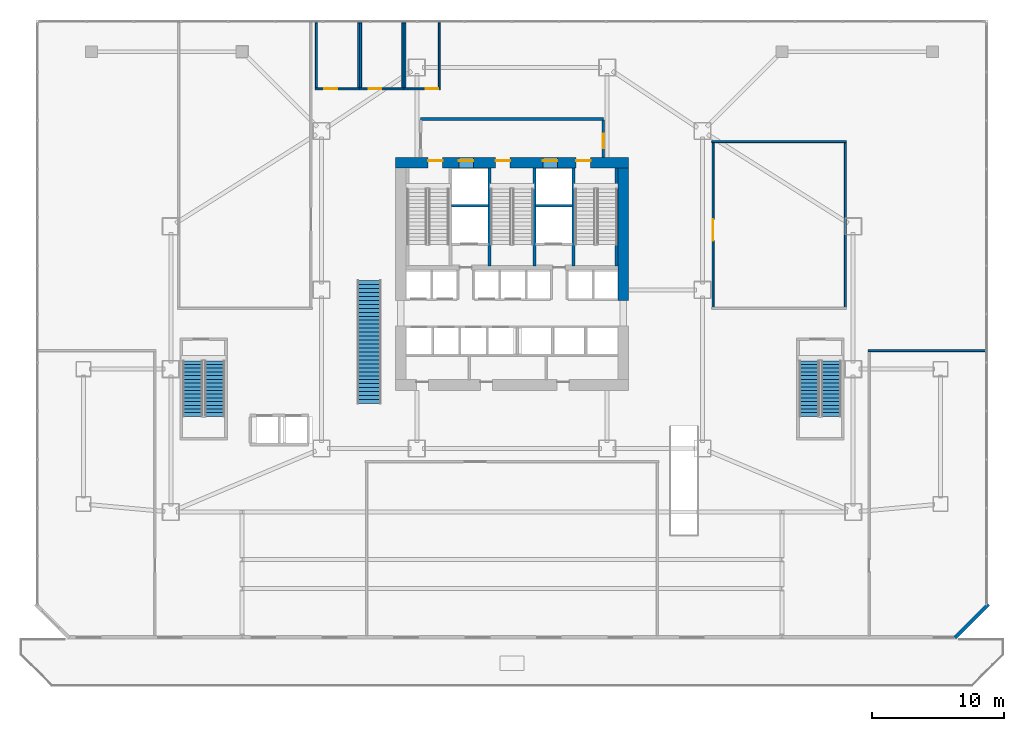
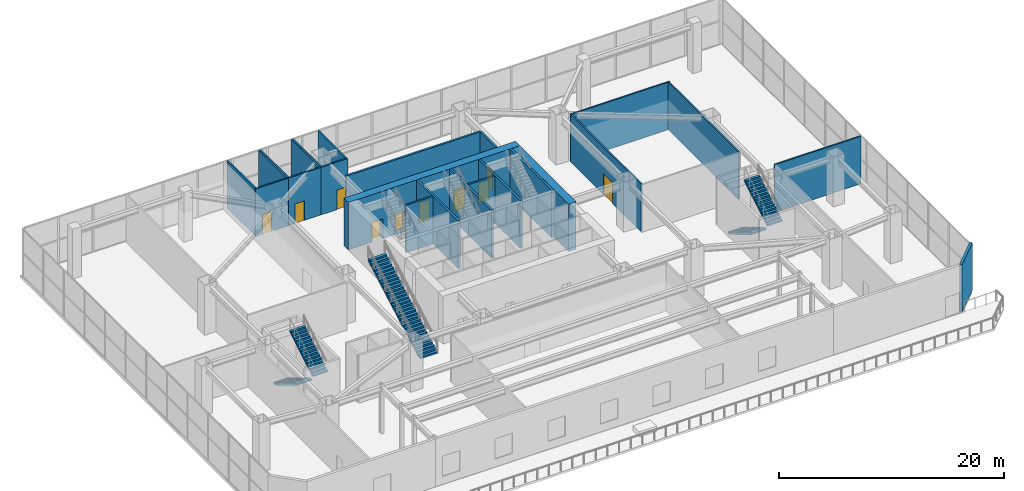
# One storey, part 30 of 37: 24 walls, 10 doors, 5 stair flights, 10 openings, 3 elements without a shape of their own.
"""IFC4 building model written with IfcOpenShell, lengths in metres."""

from ifc_helpers import new_model, si_unit, direction, frame, frame_2d, origin, place, context, subcontext, project, spatial, polyline, rectangle, outline, extrude, material, layer, layer_set, type_object, element, fill, aggregate, save


model = new_model("IFC4")

# Units and contexts
model_context = context("Model", 3, precision=1e-05, world=origin(), true_north=direction((0.0, 1.0)))
body_context = subcontext(model_context, "Body", "Model", "MODEL_VIEW")
ifc_project = project(units=[si_unit("LENGTHUNIT", "METRE"), si_unit("AREAUNIT", "SQUARE_METRE"), si_unit("VOLUMEUNIT", "CUBIC_METRE"), si_unit("PLANEANGLEUNIT", "RADIAN"), si_unit("MASSUNIT", "GRAM", prefix="KILO")], contexts=[model_context])

# Site, building, storey
site_placement = place(None, origin())
site = spatial("IfcSite", under=ifc_project, at=site_placement, CompositionType="ELEMENT")
building_placement = place(site_placement, origin())
building = spatial("IfcBuilding", under=site, at=building_placement, Name="Haolan Belvedere Tower", CompositionType="ELEMENT")
storey_placement = place(building_placement, frame((0.0, 0.0, 10.199951171875)))
storey = spatial("IfcBuildingStorey", under=building, at=storey_placement, Name="L02", CompositionType="ELEMENT", Elevation=10.199951171875)

# Wall, openings, doors
ifc_material_1 = material(Name="Concrete C70/85", Category="concrete")
ifc_layer_1 = layer(ifc_material_1, 0.800048828125, Name="Concrete C70/85")
ifc_layer_set_1 = layer_set([ifc_layer_1], Name="Concrete C70/85")
wall_type_1 = type_object("IfcWallType", Name="WL-CORE-800", PredefinedType="SHEAR", material=ifc_layer_set_1)
wall_1_placement = place(storey_placement, frame((29.60009765625, 43.199951171875, 0.0), z_axis=(0.0, 0.0, 1.0), x_axis=(1.0, 0.0, 0.0)))
wall_1 = element("IfcWall", 1, at=wall_1_placement, inside=storey, type_object=wall_type_1, Name="L02 central core north shear wall", PredefinedType="SHEAR", context=body_context, shape_type="SweptSolid", body=[
    extrude(rectangle(XDim=17.599853515625, YDim=0.800048828125, at=frame_2d((8.7998046875, 0.0))), origin(), (0.0, 0.0, 1.0), 5.16015625),
])
opening_1_placement = place(wall_1_placement, frame((2.449951171875, 0.0, 0.0)))
opening_1 = element("IfcOpeningElement", 2, at=opening_1_placement, cuts=wall_1, Name="Opening FD-03", PredefinedType="OPENING", context=body_context, shape_type="SweptSolid", body=[
    extrude(rectangle(XDim=1.10009765625, YDim=2.14990234375, at=frame_2d((0.550048828125, 1.074951171875))), frame((0.0, 0.409912109375, 0.0), z_axis=(0.0, -1.0, 0.0), x_axis=(1.0, 0.0, 0.0)), (0.0, 0.0, 1.0), 0.820068359375),
])
opening_2_placement = place(wall_1_placement, frame((7.56005859375, 0.0, 0.0)))
opening_2 = element("IfcOpeningElement", 3, at=opening_2_placement, cuts=wall_1, Name="Opening FD-03", PredefinedType="OPENING", context=body_context, shape_type="SweptSolid", body=[
    extrude(rectangle(XDim=1.10009765625, YDim=2.14990234375, at=frame_2d((0.550048828125, 1.074951171875))), frame((0.0, 0.409912109375, 0.0), z_axis=(0.0, -1.0, 0.0), x_axis=(1.0, 0.0, 0.0)), (0.0, 0.0, 1.0), 0.820068359375),
])
opening_3_placement = place(wall_1_placement, frame((13.64990234375, 0.0, 0.0)))
opening_3 = element("IfcOpeningElement", 4, at=opening_3_placement, cuts=wall_1, Name="Opening FD-03", PredefinedType="OPENING", context=body_context, shape_type="SweptSolid", body=[
    extrude(rectangle(XDim=1.10009765625, YDim=2.14990234375, at=frame_2d((0.550048828125, 1.074951171875))), frame((0.0, 0.409912109375, 0.0), z_axis=(0.0, -1.0, 0.0), x_axis=(1.0, 0.0, 0.0)), (0.0, 0.0, 1.0), 0.820068359375),
])
opening_4_placement = place(wall_1_placement, frame((4.780029296875, 0.0, 0.0)))
opening_4 = element("IfcOpeningElement", 5, at=opening_4_placement, cuts=wall_1, Name="Opening LD-01", PredefinedType="OPENING", context=body_context, shape_type="SweptSolid", body=[
    extrude(rectangle(XDim=1.10009765625, YDim=2.199951171875, at=frame_2d((0.550048828125, 1.10009765625))), frame((0.0, 0.409912109375, 0.0), z_axis=(0.0, -1.0, 0.0), x_axis=(1.0, 0.0, 0.0)), (0.0, 0.0, 1.0), 0.820068359375),
])
opening_5_placement = place(wall_1_placement, frame((11.139892578125, 0.0, 0.0)))
opening_5 = element("IfcOpeningElement", 6, at=opening_5_placement, cuts=wall_1, Name="Opening LD-01", PredefinedType="OPENING", context=body_context, shape_type="SweptSolid", body=[
    extrude(rectangle(XDim=1.10009765625, YDim=2.199951171875, at=frame_2d((0.550048828125, 1.10009765625))), frame((0.0, 0.409912109375, 0.0), z_axis=(0.0, -1.0, 0.0), x_axis=(1.0, 0.0, 0.0)), (0.0, 0.0, 1.0), 0.820068359375),
])
ifc_material_2 = material(Name="Galvanised fire-rated steel", Category="steel")
door_type_1 = type_object("IfcDoorType", Name="DR-FD90-1100", OperationType="NOTDEFINED", PredefinedType="DOOR", material=ifc_material_2)
door_1_placement = place(opening_1_placement, origin())
door_1 = element("IfcDoor", 7, at=door_1_placement, inside=storey, type_object=door_type_1, Name="L02 door CD-L02-ST1", OperationType="SINGLE_SWING_LEFT", OverallHeight=2.14990234375, OverallWidth=1.10009765625, PredefinedType="DOOR", context=body_context, shape_type="SweptSolid", body=[
    extrude(rectangle(XDim=1.10009765625, YDim=2.14990234375, at=frame_2d((0.550048828125, 1.074951171875))), frame((0.0, 0.18505859375, 0.0), z_axis=(0.0, -1.0, 0.0), x_axis=(1.0, 0.0, 0.0)), (0.0, 0.0, 1.0), 0.050048828125),
])
fill(opening_1, door_1)
door_2_placement = place(opening_2_placement, origin())
door_2 = element("IfcDoor", 8, at=door_2_placement, inside=storey, type_object=door_type_1, Name="L02 door CD-L02-ST3", OperationType="SINGLE_SWING_LEFT", OverallHeight=2.14990234375, OverallWidth=1.10009765625, PredefinedType="DOOR", context=body_context, shape_type="SweptSolid", body=[
    extrude(rectangle(XDim=1.10009765625, YDim=2.14990234375, at=frame_2d((0.550048828125, 1.074951171875))), frame((0.0, 0.18505859375, 0.0), z_axis=(0.0, -1.0, 0.0), x_axis=(1.0, 0.0, 0.0)), (0.0, 0.0, 1.0), 0.050048828125),
])
fill(opening_2, door_2)
door_3_placement = place(opening_3_placement, origin())
door_3 = element("IfcDoor", 9, at=door_3_placement, inside=storey, type_object=door_type_1, Name="L02 door CD-L02-ST2", OperationType="SINGLE_SWING_RIGHT", OverallHeight=2.14990234375, OverallWidth=1.10009765625, PredefinedType="DOOR", context=body_context, shape_type="SweptSolid", body=[
    extrude(rectangle(XDim=1.10009765625, YDim=2.14990234375, at=frame_2d((0.550048828125, 1.074951171875))), frame((0.0, 0.18505859375, 0.0), z_axis=(0.0, -1.0, 0.0), x_axis=(1.0, 0.0, 0.0)), (0.0, 0.0, 1.0), 0.050048828125),
])
fill(opening_3, door_3)
ifc_material_3 = material(Name="Brushed champagne stainless steel 316L", Category="steel")
door_type_2 = type_object("IfcDoorType", Name="DR-LIFT-1100", OperationType="SLIDING_TO_LEFT", PredefinedType="DOOR", material=ifc_material_3)
door_4_placement = place(opening_4_placement, origin())
door_4 = element("IfcDoor", 10, at=door_4_placement, inside=storey, type_object=door_type_2, Name="L02 door LD-L02-FF1", OperationType="SLIDING_TO_LEFT", OverallHeight=2.199951171875, OverallWidth=1.10009765625, PredefinedType="DOOR", context=body_context, shape_type="SweptSolid", body=[
    extrude(rectangle(XDim=1.10009765625, YDim=2.199951171875, at=frame_2d((0.550048828125, 1.10009765625))), frame((0.0, 0.18505859375, 0.0), z_axis=(0.0, -1.0, 0.0), x_axis=(1.0, 0.0, 0.0)), (0.0, 0.0, 1.0), 0.050048828125),
])
fill(opening_4, door_4)
door_5_placement = place(opening_5_placement, origin())
door_5 = element("IfcDoor", 11, at=door_5_placement, inside=storey, type_object=door_type_2, Name="L02 door LD-L02-FF2", OperationType="SLIDING_TO_LEFT", OverallHeight=2.199951171875, OverallWidth=1.10009765625, PredefinedType="DOOR", context=body_context, shape_type="SweptSolid", body=[
    extrude(rectangle(XDim=1.10009765625, YDim=2.199951171875, at=frame_2d((0.550048828125, 1.10009765625))), frame((0.0, 0.18505859375, 0.0), z_axis=(0.0, -1.0, 0.0), x_axis=(1.0, 0.0, 0.0)), (0.0, 0.0, 1.0), 0.050048828125),
])
fill(opening_5, door_5)

# Walls
wall_2_placement = place(storey_placement, frame((46.800048828125, 32.800048828125, 0.0), z_axis=(0.0, 0.0, 1.0), x_axis=(0.0, 1.0, 0.0)))
element("IfcWall", 12, at=wall_2_placement, inside=storey, type_object=wall_type_1, Name="L02 central core shear wall EN", PredefinedType="SHEAR", context=body_context, shape_type="SweptSolid", body=[
    extrude(rectangle(XDim=10.0, YDim=0.800048828125, at=frame_2d((5.0, 0.0))), origin(), (0.0, 0.0, 1.0), 5.16015625),
])
ifc_material_4 = material(Name="Precast concrete C40/50", Category="concrete")
ifc_layer_2 = layer(ifc_material_4, 0.260009765625, Name="Precast concrete C40/50")
ifc_layer_set_2 = layer_set([ifc_layer_2], Name="Precast concrete C40/50")
wall_type_2 = type_object("IfcWallType", Name="WL-EXT-260", PredefinedType="SOLIDWALL", material=ifc_layer_set_2)
wall_3_placement = place(storey_placement, frame((71.9072265625, 7.291015625, 0.0), z_axis=(0.0, 0.0, 1.0), x_axis=(0.707106781187, 0.707106781187, 0.0)))
element("IfcWall", 13, at=wall_3_placement, inside=storey, type_object=wall_type_2, Name="L02 pale-metal exterior spandrel wall 1.1", PredefinedType="SOLIDWALL", context=body_context, shape_type="SweptSolid", body=[
    extrude(rectangle(XDim=3.566650390625, YDim=0.260009765625, at=frame_2d((1.783203125, 0.0))), origin(), (0.0, 0.0, 1.0), 5.16015625),
])
ifc_material_5 = material(Name="Concrete C40/50", Category="concrete")
ifc_layer_3 = layer(ifc_material_5, 0.199951171875, Name="Concrete C40/50")
ifc_layer_set_3 = layer_set([ifc_layer_3], Name="Concrete C40/50")
wall_type_3 = type_object("IfcWallType", Name="WL-FIRE-200", PredefinedType="SOLIDWALL", material=ifc_layer_set_3)
wall_4_placement = place(storey_placement, frame((31.5, 46.52001953125, 0.0), z_axis=(0.0, 0.0, 1.0), x_axis=(1.0, 0.0, 0.0)))
element("IfcWall", 14, at=wall_4_placement, inside=storey, type_object=wall_type_3, Name="L02 interior partition IW-L02-FFL-N", PredefinedType="SOLIDWALL", context=body_context, shape_type="SweptSolid", body=[
    extrude(rectangle(XDim=13.800048828125, YDim=0.199951171875, at=frame_2d((6.89990234375, 0.0))), origin(), (0.0, 0.0, 1.0), 5.16015625),
])

# Wall, opening, door
wall_5_placement = place(storey_placement, frame((45.300048828125, 43.60009765625, 0.0), z_axis=(0.0, 0.0, 1.0), x_axis=(0.0, 1.0, 0.0)))
wall_5 = element("IfcWall", 15, at=wall_5_placement, inside=storey, type_object=wall_type_3, Name="L02 interior partition IW-L02-FFL-E", PredefinedType="SOLIDWALL", context=body_context, shape_type="SweptSolid", body=[
    extrude(rectangle(XDim=2.8349609375, YDim=0.199951171875, at=frame_2d((1.41748046875, 0.0))), origin(), (0.0, 0.0, 1.0), 5.16015625),
])
opening_6_placement = place(wall_5_placement, frame((0.699951171875, 0.0, 0.0)))
opening_6 = element("IfcOpeningElement", 16, at=opening_6_placement, cuts=wall_5, Name="Opening FD-03", PredefinedType="OPENING", context=body_context, shape_type="SweptSolid", body=[
    extrude(rectangle(XDim=1.10009765625, YDim=2.14990234375, at=frame_2d((0.550048828125, 1.074951171875))), frame((0.0, 0.10986328125, 0.0), z_axis=(0.0, -1.0, 0.0), x_axis=(1.0, 0.0, 0.0)), (0.0, 0.0, 1.0), 0.219970703125),
])
door_6_placement = place(opening_6_placement, origin())
door_6 = element("IfcDoor", 17, at=door_6_placement, inside=storey, type_object=door_type_1, Name="L02 door ID-L02-FFL-DE", OperationType="SINGLE_SWING_RIGHT", OverallHeight=2.14990234375, OverallWidth=1.10009765625, PredefinedType="DOOR", context=body_context, shape_type="SweptSolid", body=[
    extrude(rectangle(XDim=1.10009765625, YDim=2.14990234375, at=frame_2d((0.550048828125, 1.074951171875))), frame((0.0, 0.02490234375, 0.0), z_axis=(0.0, -1.0, 0.0), x_axis=(1.0, 0.0, 0.0)), (0.0, 0.0, 1.0), 0.050048828125),
])
fill(opening_6, door_6)

ifc_material_6 = material(Name="Double gypsum acoustic stud partition", Category="masonry")
ifc_layer_4 = layer(ifc_material_6, 0.14990234375, Name="Double gypsum acoustic stud partition")
ifc_layer_set_4 = layer_set([ifc_layer_4], Name="Double gypsum acoustic stud partition")
wall_type_4 = type_object("IfcWallType", Name="WL-PART-150", PredefinedType="PARTITIONING", material=ifc_layer_set_4)
wall_6_placement = place(storey_placement, frame((23.52001953125, 48.800048828125, 0.0), z_axis=(0.0, 0.0, 1.0), x_axis=(1.0, 0.0, 0.0)))
wall_6 = element("IfcWall", 18, at=wall_6_placement, inside=storey, type_object=wall_type_4, Name="L02 interior partition IW-L02-WCM-S", PredefinedType="PARTITIONING", context=body_context, shape_type="SweptSolid", body=[
    extrude(rectangle(XDim=3.35986328125, YDim=0.14990234375, at=frame_2d((1.679931640625, 0.0))), origin(), (0.0, 0.0, 1.0), 5.16015625),
])
opening_7_placement = place(wall_6_placement, frame((0.699951171875, 0.0, 0.0)))
opening_7 = element("IfcOpeningElement", 19, at=opening_7_placement, cuts=wall_6, Name="Opening ID-03", PredefinedType="OPENING", context=body_context, shape_type="SweptSolid", body=[
    extrude(rectangle(XDim=0.949951171875, YDim=2.1201171875, at=frame_2d((0.47509765625, 1.06005859375))), frame((0.0, 0.0849609375, 0.0), z_axis=(0.0, -1.0, 0.0), x_axis=(1.0, 0.0, 0.0)), (0.0, 0.0, 1.0), 0.169921875),
])
ifc_material_7 = material(Name="Painted solid-core timber", Category="wood")
door_type_3 = type_object("IfcDoorType", Name="DR-INT-950", OperationType="NOTDEFINED", PredefinedType="DOOR", material=ifc_material_7)
door_7_placement = place(opening_7_placement, origin())
door_7 = element("IfcDoor", 20, at=door_7_placement, inside=storey, type_object=door_type_3, Name="L02 door ID-L02-WCM", OperationType="SINGLE_SWING_LEFT", OverallHeight=2.1201171875, OverallWidth=0.949951171875, PredefinedType="DOOR", context=body_context, shape_type="SweptSolid", body=[
    extrude(rectangle(XDim=0.949951171875, YDim=2.1201171875, at=frame_2d((0.47509765625, 1.06005859375))), frame((0.0, 0.02490234375, 0.0), z_axis=(0.0, -1.0, 0.0), x_axis=(1.0, 0.0, 0.0)), (0.0, 0.0, 1.0), 0.050048828125),
])
fill(opening_7, door_7)

# Walls
for number, where, z_axis, x_axis, name in (
    (21, (23.60009765625, 48.860107421875, 0.0), (0.0, 0.0, 1.0), (0.0, 1.0, 0.0), "L02 interior partition IW-L02-WCM-W"),
    (22, (26.800048828125, 48.860107421875, 0.0), (0.0, 0.0, 1.0), (0.0, 1.0, 0.0), "L02 interior partition IW-L02-WCM-E"),
):
    element("IfcWall", number, at=place(storey_placement, frame(where, z_axis=z_axis, x_axis=x_axis)), inside=storey, type_object=wall_type_4, Name=name, PredefinedType="PARTITIONING", context=body_context, shape_type="SweptSolid", body=[
        extrude(rectangle(XDim=4.927978515625, YDim=0.14990234375, at=frame_2d((2.4638671875, 0.0))), origin(), (0.0, 0.0, 1.0), 5.16015625),
    ])

# Wall, opening, door
wall_7_placement = place(storey_placement, frame((26.882080078125, 48.800048828125, 0.0), z_axis=(0.0, 0.0, 1.0), x_axis=(1.0, 0.0, 0.0)))
wall_7 = element("IfcWall", 23, at=wall_7_placement, inside=storey, type_object=wall_type_4, Name="L02 interior partition IW-L02-WCF-S", PredefinedType="PARTITIONING", context=body_context, shape_type="SweptSolid", body=[
    extrude(rectangle(XDim=3.347900390625, YDim=0.14990234375, at=frame_2d((1.673828125, 0.0))), origin(), (0.0, 0.0, 1.0), 5.16015625),
])
opening_8_placement = place(wall_7_placement, frame((0.68798828125, 0.0, 0.0)))
opening_8 = element("IfcOpeningElement", 24, at=opening_8_placement, cuts=wall_7, Name="Opening ID-03", PredefinedType="OPENING", context=body_context, shape_type="SweptSolid", body=[
    extrude(rectangle(XDim=0.949951171875, YDim=2.1201171875, at=frame_2d((0.47509765625, 1.06005859375))), frame((0.0, 0.0849609375, 0.0), z_axis=(0.0, -1.0, 0.0), x_axis=(1.0, 0.0, 0.0)), (0.0, 0.0, 1.0), 0.169921875),
])
door_8_placement = place(opening_8_placement, origin())
door_8 = element("IfcDoor", 25, at=door_8_placement, inside=storey, type_object=door_type_3, Name="L02 door ID-L02-WCF", OperationType="SINGLE_SWING_RIGHT", OverallHeight=2.1201171875, OverallWidth=0.949951171875, PredefinedType="DOOR", context=body_context, shape_type="SweptSolid", body=[
    extrude(rectangle(XDim=0.949951171875, YDim=2.1201171875, at=frame_2d((0.47509765625, 1.06005859375))), frame((0.0, 0.02490234375, 0.0), z_axis=(0.0, -1.0, 0.0), x_axis=(1.0, 0.0, 0.0)), (0.0, 0.0, 1.0), 0.050048828125),
])
fill(opening_8, door_8)

# Walls
for number, where, z_axis, x_axis, name in (
    (26, (26.949951171875, 48.860107421875, 0.0), (0.0, 0.0, 1.0), (0.0, 1.0, 0.0), "L02 interior partition IW-L02-WCF-W"),
    (27, (30.14990234375, 48.860107421875, 0.0), (0.0, 0.0, 1.0), (0.0, 1.0, 0.0), "L02 interior partition IW-L02-WCF-E"),
):
    element("IfcWall", number, at=place(storey_placement, frame(where, z_axis=z_axis, x_axis=x_axis)), inside=storey, type_object=wall_type_4, Name=name, PredefinedType="PARTITIONING", context=body_context, shape_type="SweptSolid", body=[
        extrude(rectangle(XDim=4.927978515625, YDim=0.14990234375, at=frame_2d((2.4638671875, 0.0))), origin(), (0.0, 0.0, 1.0), 5.16015625),
    ])

# Wall, opening, door
wall_8_placement = place(storey_placement, frame((30.23193359375, 48.800048828125, 0.0), z_axis=(0.0, 0.0, 1.0), x_axis=(1.0, 0.0, 0.0)))
wall_8 = element("IfcWall", 28, at=wall_8_placement, inside=storey, type_object=wall_type_4, Name="L02 interior partition IW-L02-WCA-S", PredefinedType="PARTITIONING", context=body_context, shape_type="SweptSolid", body=[
    extrude(rectangle(XDim=2.748046875, YDim=0.14990234375, at=frame_2d((1.3740234375, 0.0))), origin(), (0.0, 0.0, 1.0), 5.16015625),
])
opening_9_placement = place(wall_8_placement, frame((1.637939453125, 0.0, 0.0)))
opening_9 = element("IfcOpeningElement", 29, at=opening_9_placement, cuts=wall_8, Name="Opening ID-03", PredefinedType="OPENING", context=body_context, shape_type="SweptSolid", body=[
    extrude(rectangle(XDim=0.949951171875, YDim=2.1201171875, at=frame_2d((0.47509765625, 1.06005859375))), frame((0.0, 0.0849609375, 0.0), z_axis=(0.0, -1.0, 0.0), x_axis=(1.0, 0.0, 0.0)), (0.0, 0.0, 1.0), 0.169921875),
])
door_9_placement = place(opening_9_placement, origin())
door_9 = element("IfcDoor", 30, at=door_9_placement, inside=storey, type_object=door_type_3, Name="L02 door ID-L02-WCA", OperationType="SINGLE_SWING_RIGHT", OverallHeight=2.1201171875, OverallWidth=0.949951171875, PredefinedType="DOOR", context=body_context, shape_type="SweptSolid", body=[
    extrude(rectangle(XDim=0.949951171875, YDim=2.1201171875, at=frame_2d((0.47509765625, 1.06005859375))), frame((0.0, 0.02490234375, 0.0), z_axis=(0.0, -1.0, 0.0), x_axis=(1.0, 0.0, 0.0)), (0.0, 0.0, 1.0), 0.050048828125),
])
fill(opening_9, door_9)

# Walls
for number, where, z_axis, x_axis, name in (
    (31, (30.300048828125, 48.860107421875, 0.0), (0.0, 0.0, 1.0), (0.0, 1.0, 0.0), "L02 interior partition IW-L02-WCA-W"),
    (32, (32.89990234375, 48.860107421875, 0.0), (0.0, 0.0, 1.0), (0.0, 1.0, 0.0), "L02 interior partition IW-L02-WCA-E"),
):
    element("IfcWall", number, at=place(storey_placement, frame(where, z_axis=z_axis, x_axis=x_axis)), inside=storey, type_object=wall_type_4, Name=name, PredefinedType="PARTITIONING", context=body_context, shape_type="SweptSolid", body=[
        extrude(rectangle(XDim=4.927978515625, YDim=0.14990234375, at=frame_2d((2.4638671875, 0.0))), origin(), (0.0, 0.0, 1.0), 5.16015625),
    ])
wall_9_placement = place(storey_placement, frame((53.52001953125, 44.800048828125, 0.0), z_axis=(0.0, 0.0, 1.0), x_axis=(1.0, 0.0, 0.0)))
element("IfcWall", 33, at=wall_9_placement, inside=storey, type_object=wall_type_4, Name="L02 interior partition IW-L02-GBE-N", PredefinedType="PARTITIONING", context=body_context, shape_type="SweptSolid", body=[
    extrude(rectangle(XDim=10.159912109375, YDim=0.14990234375, at=frame_2d((5.080078125, 0.0))), origin(), (0.0, 0.0, 1.0), 5.16015625),
])

# Wall, opening, door
wall_10_placement = place(storey_placement, frame((53.60009765625, 32.260009765625, 0.0), z_axis=(0.0, 0.0, 1.0), x_axis=(0.0, 1.0, 0.0)))
wall_10 = element("IfcWall", 34, at=wall_10_placement, inside=storey, type_object=wall_type_4, Name="L02 interior partition IW-L02-GBE-W", PredefinedType="PARTITIONING", context=body_context, shape_type="SweptSolid", body=[
    extrude(rectangle(XDim=12.47998046875, YDim=0.14990234375, at=frame_2d((6.239990234375, 0.0))), origin(), (0.0, 0.0, 1.0), 5.16015625),
])
opening_10_placement = place(wall_10_placement, frame((5.06005859375, 0.0, 0.0)))
opening_10 = element("IfcOpeningElement", 35, at=opening_10_placement, cuts=wall_10, Name="Opening ID-06", PredefinedType="OPENING", context=body_context, shape_type="SweptSolid", body=[
    extrude(rectangle(XDim=1.60009765625, YDim=2.25, at=frame_2d((0.800048828125, 1.125))), frame((0.0, 0.0849609375, 0.0), z_axis=(0.0, -1.0, 0.0), x_axis=(1.0, 0.0, 0.0)), (0.0, 0.0, 1.0), 0.169921875),
])
ifc_material_8 = material(Name="Anodised bronze-champagne aluminium and acoustic glass", Category="aluminium")
door_type_4 = type_object("IfcDoorType", Name="DR-DBL-1600", OperationType="DOUBLE_DOOR_SINGLE_SWING", PredefinedType="DOOR", material=ifc_material_8)
door_10_placement = place(opening_10_placement, origin())
door_10 = element("IfcDoor", 36, at=door_10_placement, inside=storey, type_object=door_type_4, Name="L02 door ID-L02-GBE", OperationType="DOUBLE_DOOR_SINGLE_SWING", OverallHeight=2.25, OverallWidth=1.60009765625, PredefinedType="DOOR", context=body_context, shape_type="SweptSolid", body=[
    extrude(rectangle(XDim=1.60009765625, YDim=2.25, at=frame_2d((0.800048828125, 1.125))), frame((0.0, 0.02490234375, 0.0), z_axis=(0.0, -1.0, 0.0), x_axis=(1.0, 0.0, 0.0)), (0.0, 0.0, 1.0), 0.050048828125),
])
fill(opening_10, door_10)

# Walls
wall_11_placement = place(storey_placement, frame((63.60009765625, 32.260009765625, 0.0), z_axis=(0.0, 0.0, 1.0), x_axis=(0.0, 1.0, 0.0)))
element("IfcWall", 37, at=wall_11_placement, inside=storey, type_object=wall_type_4, Name="L02 interior partition IW-L02-GBE-E", PredefinedType="PARTITIONING", context=body_context, shape_type="SweptSolid", body=[
    extrude(rectangle(XDim=12.47998046875, YDim=0.14990234375, at=frame_2d((6.239990234375, 0.0))), origin(), (0.0, 0.0, 1.0), 5.16015625),
])
wall_12_placement = place(storey_placement, frame((65.320068359375, 29.0, 0.0), z_axis=(0.0, 0.0, 1.0), x_axis=(1.0, 0.0, 0.0)))
element("IfcWall", 38, at=wall_12_placement, inside=storey, type_object=wall_type_4, Name="L02 interior partition IW-L02-VIP-N", PredefinedType="PARTITIONING", context=body_context, shape_type="SweptSolid", body=[
    extrude(rectangle(XDim=8.867919921875, YDim=0.14990234375, at=frame_2d((4.43408203125, 0.0))), origin(), (0.0, 0.0, 1.0), 5.16015625),
])
ifc_layer_5 = layer(ifc_material_4, 0.179931640625, Name="Precast concrete C40/50")
ifc_layer_set_5 = layer_set([ifc_layer_5], Name="Precast concrete C40/50")
wall_type_5 = type_object("IfcWallType", Name="WL-SHAFT-180", PredefinedType="SOLIDWALL", material=ifc_layer_set_5)
for number, where, z_axis, x_axis, name in (
    (39, (33.8349609375, 39.949951171875, 0.0), (0.0, 0.0, 1.0), (1.0, 0.0, 0.0), "L02 interior partition IW-L02-FF1-S"),
    (40, (40.195068359375, 39.949951171875, 0.0), (0.0, 0.0, 1.0), (1.0, 0.0, 0.0), "L02 interior partition IW-L02-FF2-S"),
):
    element("IfcWall", number, at=place(storey_placement, frame(where, z_axis=z_axis, x_axis=x_axis)), inside=storey, type_object=wall_type_5, Name=name, PredefinedType="SOLIDWALL", context=body_context, shape_type="SweptSolid", body=[
        extrude(rectangle(XDim=2.77001953125, YDim=0.179931640625, at=frame_2d((1.385009765625, 0.0))), origin(), (0.0, 0.0, 1.0), 5.16015625),
    ])
ifc_material_9 = material(Name="Concrete C50/60", Category="concrete")
ifc_layer_6 = layer(ifc_material_9, 0.219970703125, Name="Concrete C50/60")
ifc_layer_set_6 = layer_set([ifc_layer_6], Name="Concrete C50/60")
wall_type_6 = type_object("IfcWallType", Name="WL-STAIR-220", PredefinedType="SHEAR", material=ifc_layer_set_6)
for number, where, z_axis, x_axis, name in (
    (41, (36.699951171875, 35.389892578125, 0.0), (0.0, 0.0, 1.0), (0.0, 1.0, 0.0), "L02 structural stair core wall ST3W"),
    (42, (40.10009765625, 35.389892578125, 0.0), (0.0, 0.0, 1.0), (0.0, 1.0, 0.0), "L02 structural stair core wall ST3E"),
    (43, (43.06005859375, 35.389892578125, 0.0), (0.0, 0.0, 1.0), (0.0, 1.0, 0.0), "L02 structural stair core wall ST2W"),
    (44, (46.2880859375, 35.389892578125, 0.0), (0.0, 0.0, 1.0), (0.0, 1.0, 0.0), "L02 structural stair core wall ST2E"),
):
    element("IfcWall", number, at=place(storey_placement, frame(where, z_axis=z_axis, x_axis=x_axis)), inside=storey, type_object=wall_type_6, Name=name, PredefinedType="SHEAR", context=body_context, shape_type="SweptSolid", body=[
        extrude(rectangle(XDim=7.41015625, YDim=0.219970703125, at=frame_2d((3.705078125, 0.0))), origin(), (0.0, 0.0, 1.0), 5.16015625),
    ])

# Stair, stair flights
stair_type_1 = type_object("IfcStairType", Name="STR-DL-32R-169", PredefinedType="HALF_TURN_STAIR", material=ifc_material_5)
stair_1_placement = place(storey_placement, origin())
stair_1 = element("IfcStair", 45, at=stair_1_placement, inside=storey, type_object=stair_type_1, Name="L02 West Podium Protected Exit Stair ST4", PredefinedType="HALF_TURN_STAIR")
stair_flight_type_1 = type_object("IfcStairFlightType", Name="SFL-DL-16R-169", PredefinedType="STRAIGHT", material=ifc_material_5)
stair_flight_1_placement = place(storey_placement, frame((14.260009765625, 28.22998046875, 0.0), z_axis=(0.0, 0.0, 1.0), x_axis=(0.0, -1.0, 0.0)))
stair_flight_1 = element("IfcStairFlight", 46, at=stair_flight_1_placement, type_object=stair_flight_type_1, Name="ST4 flight 1", NumberOfRisers=16, NumberOfTreads=15, PredefinedType="STRAIGHT", RiserHeight=0.16875, TreadLength=0.28, context=body_context, shape_type="SweptSolid", body=[
    extrude(outline(polyline([(0.0, 0.0), (0.0, 0.168701171875), (0.280029296875, 0.168701171875), (0.280029296875, 0.33740234375), (0.56005859375, 0.33740234375), (0.56005859375, 0.50634765625), (0.840087890625, 0.50634765625), (0.840087890625, 0.675048828125), (1.1201171875, 0.675048828125), (1.1201171875, 0.84375), (1.39990234375, 0.84375), (1.39990234375, 1.012451171875), (1.679931640625, 1.012451171875), (1.679931640625, 1.18115234375), (1.9599609375, 1.18115234375), (1.9599609375, 1.35009765625), (2.239990234375, 1.35009765625), (2.239990234375, 1.518798828125), (2.52001953125, 1.518798828125), (2.52001953125, 1.6875), (2.800048828125, 1.6875), (2.800048828125, 1.856201171875), (3.080078125, 1.856201171875), (3.080078125, 2.02490234375), (3.360107421875, 2.02490234375), (3.360107421875, 2.19384765625), (3.639892578125, 2.19384765625), (3.639892578125, 2.362548828125), (3.919921875, 2.362548828125), (3.919921875, 2.53125), (4.199951171875, 2.53125), (4.199951171875, 2.699951171875), (4.199951171875, 2.356201171875), (0.29052734375, 0.0), (0.0, 0.0)])), frame((0.0, 0.760009765625, 0.0), z_axis=(0.0, -1.0, 0.0), x_axis=(1.0, 0.0, 0.0)), (0.0, 0.0, 1.0), 1.52001953125),
])
stair_flight_2_placement = place(storey_placement, frame((15.919921875, 24.030029296875, 2.699951171875), z_axis=(0.0, 0.0, 1.0), x_axis=(0.0, 1.0, 0.0)))
stair_flight_2 = element("IfcStairFlight", 47, at=stair_flight_2_placement, type_object=stair_flight_type_1, Name="ST4 flight 2", NumberOfRisers=16, NumberOfTreads=15, PredefinedType="STRAIGHT", RiserHeight=0.16875, TreadLength=0.28, context=body_context, shape_type="SweptSolid", body=[
    extrude(outline(polyline([(0.0, 0.0), (0.0, 0.168701171875), (0.280029296875, 0.168701171875), (0.280029296875, 0.33740234375), (0.56005859375, 0.33740234375), (0.56005859375, 0.50634765625), (0.840087890625, 0.50634765625), (0.840087890625, 0.675048828125), (1.1201171875, 0.675048828125), (1.1201171875, 0.84375), (1.39990234375, 0.84375), (1.39990234375, 1.012451171875), (1.679931640625, 1.012451171875), (1.679931640625, 1.18115234375), (1.9599609375, 1.18115234375), (1.9599609375, 1.35009765625), (2.239990234375, 1.35009765625), (2.239990234375, 1.518798828125), (2.52001953125, 1.518798828125), (2.52001953125, 1.6875), (2.800048828125, 1.6875), (2.800048828125, 1.856201171875), (3.080078125, 1.856201171875), (3.080078125, 2.02490234375), (3.360107421875, 2.02490234375), (3.360107421875, 2.19384765625), (3.639892578125, 2.19384765625), (3.639892578125, 2.362548828125), (3.919921875, 2.362548828125), (3.919921875, 2.53125), (4.199951171875, 2.53125), (4.199951171875, 2.699951171875), (4.199951171875, 2.356201171875), (0.29052734375, 0.0), (0.0, 0.0)])), frame((0.0, 0.760009765625, 0.0), z_axis=(0.0, -1.0, 0.0), x_axis=(1.0, 0.0, 0.0)), (0.0, 0.0, 1.0), 1.52001953125),
])
aggregate(stair_1, [stair_flight_1, stair_flight_2])

stair_2_placement = place(storey_placement, origin())
stair_2 = element("IfcStair", 48, at=stair_2_placement, inside=storey, type_object=stair_type_1, Name="L02 East Podium Protected Exit Stair ST5", PredefinedType="HALF_TURN_STAIR")
stair_flight_3_placement = place(storey_placement, frame((60.8798828125, 28.22998046875, 0.0), z_axis=(0.0, 0.0, 1.0), x_axis=(0.0, -1.0, 0.0)))
stair_flight_3 = element("IfcStairFlight", 49, at=stair_flight_3_placement, type_object=stair_flight_type_1, Name="ST5 flight 1", NumberOfRisers=16, NumberOfTreads=15, PredefinedType="STRAIGHT", RiserHeight=0.16875, TreadLength=0.28, context=body_context, shape_type="SweptSolid", body=[
    extrude(outline(polyline([(0.0, 0.0), (0.0, 0.168701171875), (0.280029296875, 0.168701171875), (0.280029296875, 0.33740234375), (0.56005859375, 0.33740234375), (0.56005859375, 0.50634765625), (0.840087890625, 0.50634765625), (0.840087890625, 0.675048828125), (1.1201171875, 0.675048828125), (1.1201171875, 0.84375), (1.39990234375, 0.84375), (1.39990234375, 1.012451171875), (1.679931640625, 1.012451171875), (1.679931640625, 1.18115234375), (1.9599609375, 1.18115234375), (1.9599609375, 1.35009765625), (2.239990234375, 1.35009765625), (2.239990234375, 1.518798828125), (2.52001953125, 1.518798828125), (2.52001953125, 1.6875), (2.800048828125, 1.6875), (2.800048828125, 1.856201171875), (3.080078125, 1.856201171875), (3.080078125, 2.02490234375), (3.360107421875, 2.02490234375), (3.360107421875, 2.19384765625), (3.639892578125, 2.19384765625), (3.639892578125, 2.362548828125), (3.919921875, 2.362548828125), (3.919921875, 2.53125), (4.199951171875, 2.53125), (4.199951171875, 2.699951171875), (4.199951171875, 2.356201171875), (0.29052734375, 0.0), (0.0, 0.0)])), frame((0.0, 0.760009765625, 0.0), z_axis=(0.0, -1.0, 0.0), x_axis=(1.0, 0.0, 0.0)), (0.0, 0.0, 1.0), 1.52001953125),
])
stair_flight_4_placement = place(storey_placement, frame((62.5400390625, 24.030029296875, 2.699951171875), z_axis=(0.0, 0.0, 1.0), x_axis=(0.0, 1.0, 0.0)))
stair_flight_4 = element("IfcStairFlight", 50, at=stair_flight_4_placement, type_object=stair_flight_type_1, Name="ST5 flight 2", NumberOfRisers=16, NumberOfTreads=15, PredefinedType="STRAIGHT", RiserHeight=0.16875, TreadLength=0.28, context=body_context, shape_type="SweptSolid", body=[
    extrude(outline(polyline([(0.0, 0.0), (0.0, 0.168701171875), (0.280029296875, 0.168701171875), (0.280029296875, 0.33740234375), (0.56005859375, 0.33740234375), (0.56005859375, 0.50634765625), (0.840087890625, 0.50634765625), (0.840087890625, 0.675048828125), (1.1201171875, 0.675048828125), (1.1201171875, 0.84375), (1.39990234375, 0.84375), (1.39990234375, 1.012451171875), (1.679931640625, 1.012451171875), (1.679931640625, 1.18115234375), (1.9599609375, 1.18115234375), (1.9599609375, 1.35009765625), (2.239990234375, 1.35009765625), (2.239990234375, 1.518798828125), (2.52001953125, 1.518798828125), (2.52001953125, 1.6875), (2.800048828125, 1.6875), (2.800048828125, 1.856201171875), (3.080078125, 1.856201171875), (3.080078125, 2.02490234375), (3.360107421875, 2.02490234375), (3.360107421875, 2.19384765625), (3.639892578125, 2.19384765625), (3.639892578125, 2.362548828125), (3.919921875, 2.362548828125), (3.919921875, 2.53125), (4.199951171875, 2.53125), (4.199951171875, 2.699951171875), (4.199951171875, 2.356201171875), (0.29052734375, 0.0), (0.0, 0.0)])), frame((0.0, 0.760009765625, 0.0), z_axis=(0.0, -1.0, 0.0), x_axis=(1.0, 0.0, 0.0)), (0.0, 0.0, 1.0), 1.52001953125),
])
aggregate(stair_2, [stair_flight_3, stair_flight_4])

# Stair, stair flight
stair_type_2 = type_object("IfcStairType", Name="STR-STR-ST8", PredefinedType="STRAIGHT_RUN_STAIR", material=ifc_material_4)
stair_3_placement = place(storey_placement, origin())
stair_3 = element("IfcStair", 51, at=stair_3_placement, inside=storey, type_object=stair_type_2, Name="L02 feature straight stair ST8", PredefinedType="STRAIGHT_RUN_STAIR")
stair_flight_type_2 = type_object("IfcStairFlightType", Name="SFL-STR-ST8", PredefinedType="STRAIGHT", material=ifc_material_4)
stair_flight_5_placement = place(storey_placement, frame((27.60009765625, 25.0, 0.0), z_axis=(0.0, 0.0, 1.0), x_axis=(0.0, 1.0, 0.0)))
stair_flight_5 = element("IfcStairFlight", 52, at=stair_flight_5_placement, type_object=stair_flight_type_2, Name="ST8 flight 1", NumberOfRisers=32, NumberOfTreads=31, PredefinedType="STRAIGHT", RiserHeight=0.16875, TreadLength=0.3, context=body_context, shape_type="SweptSolid", body=[
    extrude(outline(polyline([(0.0, 0.0), (0.0, 0.168701171875), (0.300048828125, 0.168701171875), (0.300048828125, 0.33740234375), (0.60009765625, 0.33740234375), (0.60009765625, 0.50634765625), (0.89990234375, 0.50634765625), (0.89990234375, 0.675048828125), (1.199951171875, 0.675048828125), (1.199951171875, 0.84375), (1.5, 0.84375), (1.5, 1.012451171875), (1.800048828125, 1.012451171875), (1.800048828125, 1.18115234375), (2.10009765625, 1.18115234375), (2.10009765625, 1.35009765625), (2.39990234375, 1.35009765625), (2.39990234375, 1.518798828125), (2.699951171875, 1.518798828125), (2.699951171875, 1.6875), (3.0, 1.6875), (3.0, 1.856201171875), (3.300048828125, 1.856201171875), (3.300048828125, 2.02490234375), (3.60009765625, 2.02490234375), (3.60009765625, 2.19384765625), (3.89990234375, 2.19384765625), (3.89990234375, 2.362548828125), (4.199951171875, 2.362548828125), (4.199951171875, 2.53125), (4.5, 2.53125), (4.5, 2.699951171875), (4.800048828125, 2.699951171875), (4.800048828125, 2.86865234375), (5.10009765625, 2.86865234375), (5.10009765625, 3.03759765625), (5.39990234375, 3.03759765625), (5.39990234375, 3.206298828125), (5.699951171875, 3.206298828125), (5.699951171875, 3.375), (6.0, 3.375), (6.0, 3.543701171875), (6.300048828125, 3.543701171875), (6.300048828125, 3.71240234375), (6.60009765625, 3.71240234375), (6.60009765625, 3.88134765625), (6.89990234375, 3.88134765625), (6.89990234375, 4.050048828125), (7.199951171875, 4.050048828125), (7.199951171875, 4.21875), (7.5, 4.21875), (7.5, 4.387451171875), (7.800048828125, 4.387451171875), (7.800048828125, 4.55615234375), (8.10009765625, 4.55615234375), (8.10009765625, 4.72509765625), (8.39990234375, 4.72509765625), (8.39990234375, 4.893798828125), (8.699951171875, 4.893798828125), (8.699951171875, 5.0625), (9.0, 5.0625), (9.0, 5.231201171875), (9.300048828125, 5.231201171875), (9.300048828125, 5.39990234375), (9.300048828125, 5.02490234375), (0.366943359375, 0.0), (0.0, 0.0)])), frame((0.0, 0.89990234375, 0.0), z_axis=(0.0, -1.0, 0.0), x_axis=(1.0, 0.0, 0.0)), (0.0, 0.0, 1.0), 1.800048828125),
])
aggregate(stair_3, [stair_flight_5])

save(model, "model.ifc")
